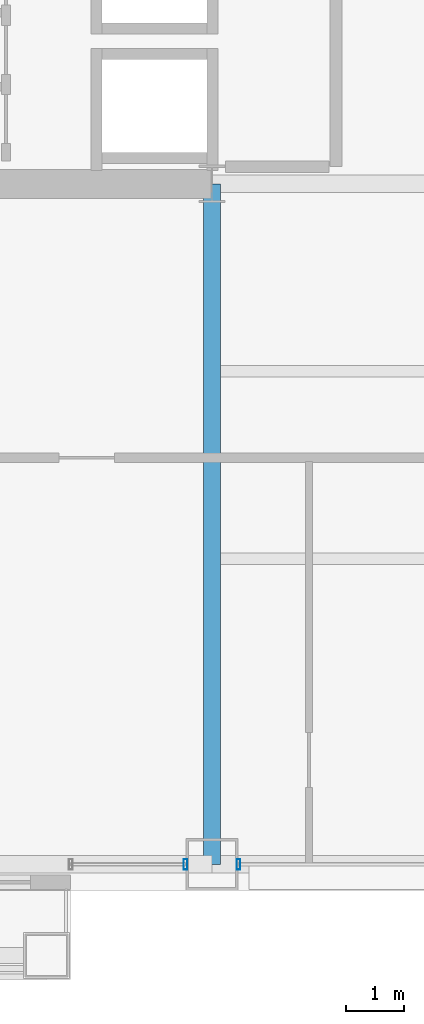
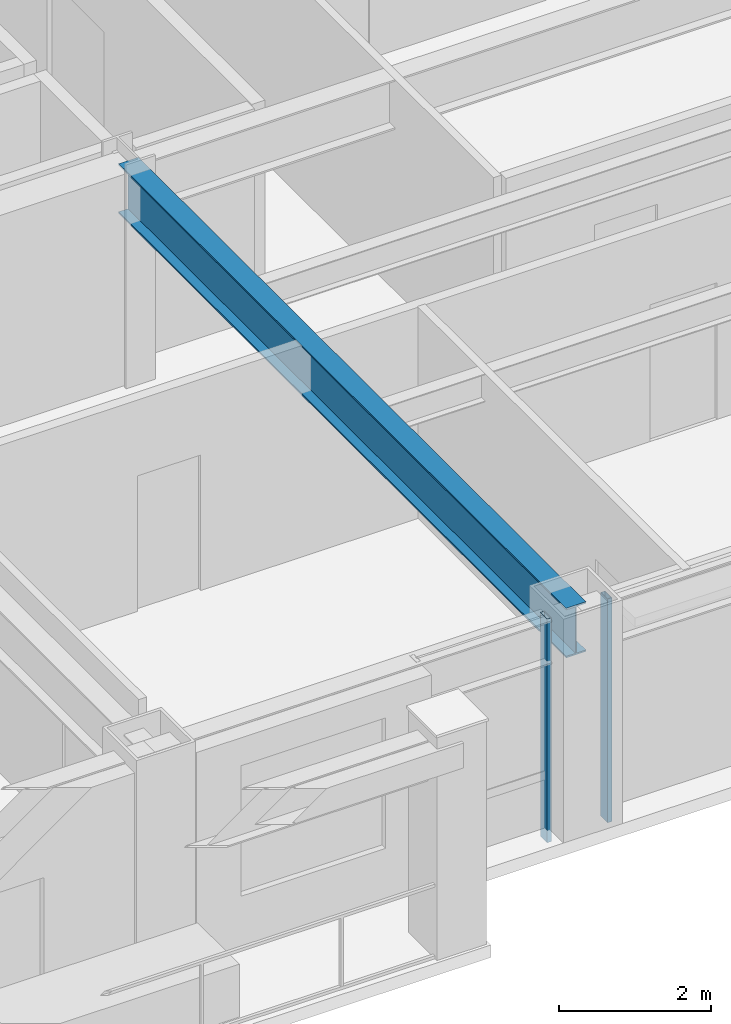
# One storey, part 5 of 30: 2 members, 1 beam, 2 elements without a shape of their own.
"""IFC4 building model written with IfcOpenShell, lengths in metres."""

from ifc_helpers import new_model, si_unit, direction, frame, origin, origin_2d, place, context, subcontext, project, spatial, hollow_rectangle, i_section, extrude, material, layer, layer_set, material_profile, profile_set, type_object, element, aggregate, save


model = new_model("IFC4")

# Units and contexts
model_context = context("Model", 3, precision=1e-05, world=origin(), true_north=direction((0.0, 1.0)))
body_context = subcontext(model_context, "Body", "Model", "MODEL_VIEW")
ifc_project = project(units=[si_unit("LENGTHUNIT", "METRE"), si_unit("AREAUNIT", "SQUARE_METRE"), si_unit("VOLUMEUNIT", "CUBIC_METRE"), si_unit("PLANEANGLEUNIT", "RADIAN"), si_unit("MASSUNIT", "GRAM", prefix="KILO")], contexts=[model_context])

# Site, building, storey
site_placement = place(None, origin())
site = spatial("IfcSite", under=ifc_project, at=site_placement, CompositionType="ELEMENT")
building_placement = place(site_placement, origin())
building = spatial("IfcBuilding", under=site, at=building_placement, Name="Brelmoor Portico Tower", CompositionType="ELEMENT")
storey_placement = place(building_placement, frame((0.0, 0.0, 74.39990234375)))
storey = spatial("IfcBuildingStorey", under=building, at=storey_placement, Name="L19", CompositionType="ELEMENT", Elevation=74.39990234375)

# Beam
ifc_material_1 = material(Name="Steel Q355B", Category="steel")
ifc_material_profile_1 = material_profile(ifc_material_1, i_section(OverallWidth=0.300048828125, OverallDepth=0.800048828125, WebThickness=0.013916015625, FlangeThickness=0.02587890625, at=origin_2d()), Name="HN 800x300x14x26")
ifc_profile_set_1 = profile_set([ifc_material_profile_1], Name="Steel Q355B")
beam_type = type_object("IfcBeamType", Name="BM-PG-800", PredefinedType="BEAM", material=ifc_profile_set_1)
beam_placement = place(storey_placement, frame((-8.050048828125, -21.550048828125, 3.0), z_axis=(0.0, 1.0, 0.0), x_axis=(-1.0, 0.0, 0.0)))
element("IfcBeam", 1, at=beam_placement, inside=storey, type_object=beam_type, Name="L19 Primary Floor Girder PG-07", PredefinedType="BEAM", context=body_context, shape_type="SweptSolid", body=[
    extrude(i_section(OverallWidth=0.300048828125, OverallDepth=0.800048828125, WebThickness=0.013916015625, FlangeThickness=0.02587890625, at=origin_2d()), origin(), (0.0, 0.0, 1.0), 11.800048828125),
])

# Curtain wall, member
ifc_material_2 = material(Name="Anodised Aluminium Alloy 6063-T6", Category="aluminium")
ifc_layer_1 = layer(ifc_material_2, 0.179931640625)
ifc_layer_set_1 = layer_set([ifc_layer_1], Name="Anodised Aluminium Alloy 6063-T6")
curtain_wall_type_1 = type_object("IfcCurtainWallType", Name="CW-TOWER-Z1", PredefinedType="NOTDEFINED", material=ifc_layer_set_1)
curtain_wall_1_placement = place(storey_placement, origin())
curtain_wall_1 = element("IfcCurtainWall", 2, at=curtain_wall_1_placement, inside=storey, type_object=curtain_wall_type_1, Name="L19 Curtain Wall CW-L19-1R-1", PredefinedType="NOTDEFINED")
ifc_material_profile_2 = material_profile(ifc_material_2, hollow_rectangle(XDim=0.06494140625, YDim=0.179931640625, WallThickness=0.00390625, at=origin_2d()), Name="ALU MULLION 65x180")
ifc_profile_set_2 = profile_set([ifc_material_profile_2], Name="Anodised Aluminium Alloy 6063-T6")
member_type = type_object("IfcMemberType", Name="MB-CW-MULL-180", PredefinedType="MULLION", material=ifc_profile_set_2)
member_1_placement = place(storey_placement, frame((-8.510009765625, -21.550048828125, -0.199951171875), z_axis=(0.0, 0.0, 1.0), x_axis=(1.0, 0.0, 0.0)))
member_1 = element("IfcMember", 3, at=member_1_placement, type_object=member_type, Name="CW-L19-1R-1 Mullion 01", PredefinedType="MULLION", context=body_context, shape_type="SweptSolid", body=[
    extrude(hollow_rectangle(XDim=0.06494140625, YDim=0.179931640625, WallThickness=0.00390625, at=origin_2d()), origin(), (0.0, 0.0, 1.0), 3.60009765625),
])
aggregate(curtain_wall_1, [member_1])

ifc_layer_2 = layer(ifc_material_2, 0.179931640625)
ifc_layer_set_2 = layer_set([ifc_layer_2], Name="Anodised Aluminium Alloy 6063-T6")
curtain_wall_type_2 = type_object("IfcCurtainWallType", Name="CW-TOWER-Z1-XB", PredefinedType="NOTDEFINED", material=ifc_layer_set_2)
curtain_wall_2_placement = place(storey_placement, origin())
curtain_wall_2 = element("IfcCurtainWall", 4, at=curtain_wall_2_placement, inside=storey, type_object=curtain_wall_type_2, Name="L19 Curtain Wall CW-L19-1R-2", PredefinedType="NOTDEFINED")
member_2_placement = place(storey_placement, frame((-7.590087890625, -21.550048828125, -0.199951171875), z_axis=(0.0, 0.0, 1.0), x_axis=(1.0, 0.0, 0.0)))
member_2 = element("IfcMember", 5, at=member_2_placement, type_object=member_type, Name="CW-L19-1R-2 Mullion 00", PredefinedType="MULLION", context=body_context, shape_type="SweptSolid", body=[
    extrude(hollow_rectangle(XDim=0.06494140625, YDim=0.179931640625, WallThickness=0.00390625, at=origin_2d()), origin(), (0.0, 0.0, 1.0), 3.60009765625),
])
aggregate(curtain_wall_2, [member_2])

save(model, "model.ifc")
